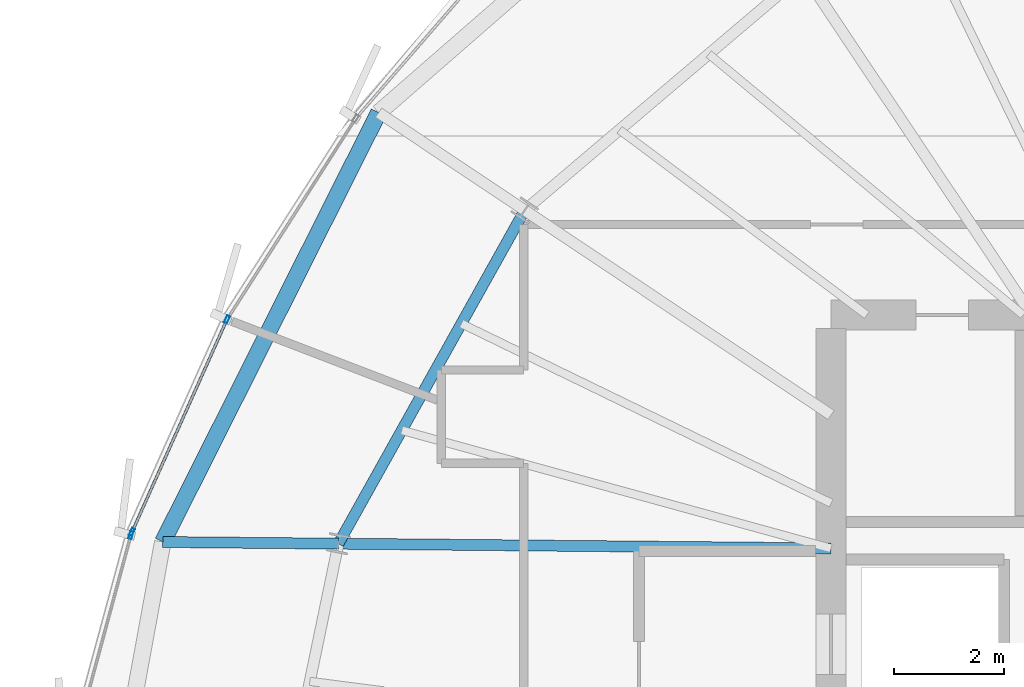
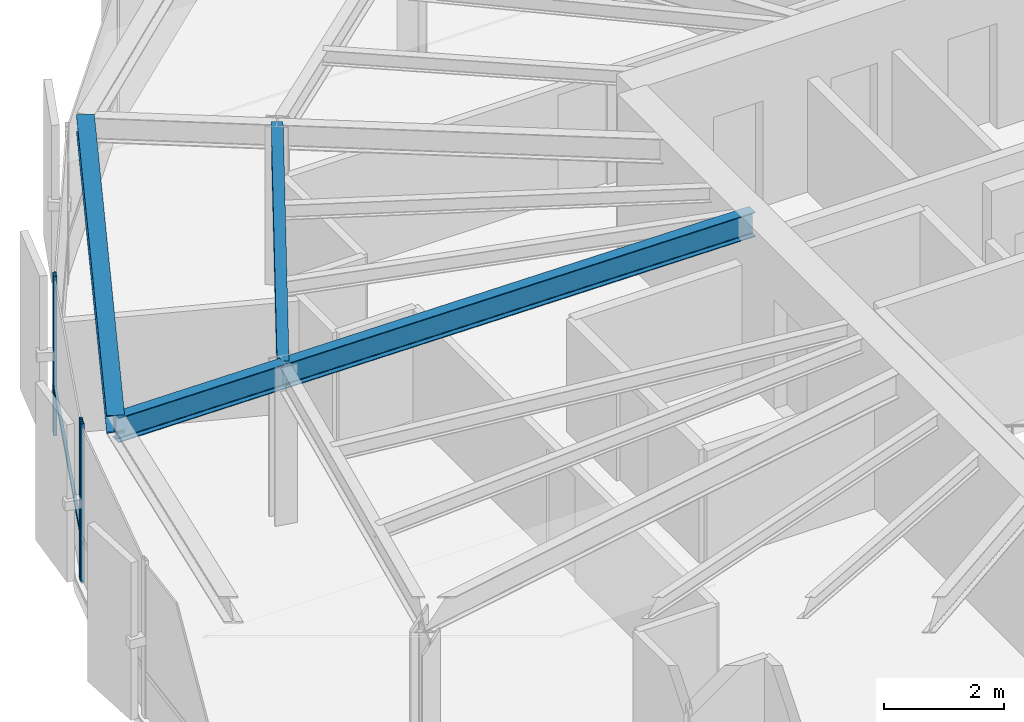
# One storey, part 10 of 34: 4 beams, 4 members, 2 elements without a shape of their own.
"""IFC4 building model written with IfcOpenShell, lengths in metres."""

from ifc_helpers import new_model, si_unit, direction, frame, origin, origin_2d, place, context, subcontext, project, spatial, hollow_rectangle, i_section, extrude, source, transform, mapped, material, layer, layer_set, material_profile, profile_set, type_object, element, aggregate, save


model = new_model("IFC4")

# Units and contexts
model_context = context("Model", 3, precision=1e-05, world=origin(), true_north=direction((0.0, 1.0)))
body_context = subcontext(model_context, "Body", "Model", "MODEL_VIEW")
ifc_project = project(units=[si_unit("LENGTHUNIT", "METRE"), si_unit("AREAUNIT", "SQUARE_METRE"), si_unit("VOLUMEUNIT", "CUBIC_METRE"), si_unit("PLANEANGLEUNIT", "RADIAN"), si_unit("MASSUNIT", "GRAM", prefix="KILO"), si_unit("THERMODYNAMICTEMPERATUREUNIT", "KELVIN")], contexts=[model_context])

# Site, building, storey
site_placement = place(None, origin())
site = spatial("IfcSite", under=ifc_project, at=site_placement, CompositionType="ELEMENT")
building_placement = place(site_placement, origin())
building = spatial("IfcBuilding", under=site, at=building_placement, Name="Kethvar Cultural Tower", CompositionType="ELEMENT")
storey_placement = place(building_placement, frame((0.0, 0.0, 214.89990234375)))
storey = spatial("IfcBuildingStorey", under=building, at=storey_placement, Name="L56", CompositionType="ELEMENT", Elevation=214.89990234375)

# Beams
ifc_material_1 = material(Name="Steel S355J2", Category="steel")
ifc_material_profile_1 = material_profile(ifc_material_1, i_section(OverallWidth=0.199951171875, OverallDepth=0.5, WebThickness=0.01025390625, FlangeThickness=0.01611328125, FilletRadius=0.02099609375, at=origin_2d()), Name="Steel S355J2 — IPE500")
ifc_profile_set_1 = profile_set([ifc_material_profile_1], Name="Steel S355J2 — IPE500")
beam_type_1 = type_object("IfcBeamType", Name="BM-IPE500", PredefinedType="BEAM", material=ifc_profile_set_1)
shared_shape_1 = source(origin(), body_context, "Body", "SweptSolid", [
    extrude(i_section(OverallWidth=0.199951171875, OverallDepth=0.5, WebThickness=0.01025390625, FlangeThickness=0.01611328125, FilletRadius=0.02099609375, at=origin_2d()), origin(), (0.0, 0.0, 1.0), 3.2001953125),
])
beam_1_placement = place(storey_placement, frame((29.02490234375, 31.335693359375, 2.988037109375), z_axis=(-0.999954526979, 0.009536455014, 0.0), x_axis=(-0.009536455014, -0.999954526979, 0.0)))
element("IfcBeam", 1, at=beam_1_placement, inside=storey, type_object=beam_type_1, Name="L56 Perimeter Cantilever Beam RC-08", PredefinedType="BEAM", context=body_context, shape_type="MappedRepresentation", body=[
    mapped(shared_shape_1, transform((0.0, 0.0, 0.0), scale=1.0)),
])
shared_shape_2 = source(origin(), body_context, "Body", "SweptSolid", [
    extrude(i_section(OverallWidth=0.199951171875, OverallDepth=0.5, WebThickness=0.01025390625, FlangeThickness=0.01611328125, FilletRadius=0.02099609375, at=origin_2d()), origin(), (0.0, 0.0, 1.0), 8.9755859375),
])
beam_2_placement = place(storey_placement, frame((38.0, 31.25, 2.988037109375), z_axis=(-0.999954421893, 0.00954746755, 0.0), x_axis=(-0.00954746755, -0.999954421893, 0.0)))
element("IfcBeam", 2, at=beam_2_placement, inside=storey, type_object=beam_type_1, Name="L56 Primary Radial Beam RB-08", PredefinedType="BEAM", context=body_context, shape_type="MappedRepresentation", body=[
    mapped(shared_shape_2, transform((0.0, 0.0, 0.0), scale=1.0)),
])
shared_shape_3 = source(origin(), body_context, "Body", "SweptSolid", [
    extrude(i_section(OverallWidth=0.199951171875, OverallDepth=0.5, WebThickness=0.01025390625, FlangeThickness=0.01611328125, FilletRadius=0.02099609375, at=origin_2d()), origin(), (0.0, 0.0, 1.0), 6.957275390625),
])
beam_3_placement = place(storey_placement, frame((32.418212890625, 37.409423828125, 2.988037109375), z_axis=(-0.487730122968, -0.872994459976, 0.0), x_axis=(0.872994459976, -0.487730122968, 0.0)))
element("IfcBeam", 3, at=beam_3_placement, inside=storey, type_object=beam_type_1, Name="L56 Column Ring Tie Beam CR-07", PredefinedType="BEAM", context=body_context, shape_type="MappedRepresentation", body=[
    mapped(shared_shape_3, transform((0.0, 0.0, 0.0), scale=1.0)),
])
ifc_material_profile_2 = material_profile(ifc_material_1, i_section(OverallWidth=0.300048828125, OverallDepth=0.360107421875, WebThickness=0.012451171875, FlangeThickness=0.0224609375, FilletRadius=0.027099609375, at=origin_2d()), Name="Steel S355J2 — HEB360")
ifc_profile_set_2 = profile_set([ifc_material_profile_2], Name="Steel S355J2 — HEB360")
beam_type_2 = type_object("IfcBeamType", Name="BM-SP360", PredefinedType="SPANDREL", material=ifc_profile_set_2)
shared_shape_4 = source(origin(), body_context, "Body", "SweptSolid", [
    extrude(i_section(OverallWidth=0.300048828125, OverallDepth=0.360107421875, WebThickness=0.012451171875, FlangeThickness=0.0224609375, FilletRadius=0.027099609375, at=origin_2d()), origin(), (0.0, 0.0, 1.0), 8.754150390625),
])
beam_4_placement = place(storey_placement, frame((29.757568359375, 39.187255859375, 3.05810546875), z_axis=(-0.449231599727, -0.893415340033, 0.0), x_axis=(0.893415340033, -0.449231599727, 0.0)))
element("IfcBeam", 4, at=beam_4_placement, inside=storey, type_object=beam_type_2, Name="L56 Perimeter Spandrel Beam SP-07", PredefinedType="SPANDREL", context=body_context, shape_type="MappedRepresentation", body=[
    mapped(shared_shape_4, transform((0.0, 0.0, 0.0), scale=1.0)),
])

# Curtain wall, members
ifc_material_2 = material(Name="Aluminium 6063-T6", Category="aluminium")
ifc_layer = layer(ifc_material_2, 0.179931640625, Name="Aluminium 6063-T6", Category="aluminium")
ifc_layer_set = layer_set([ifc_layer], Name="Aluminium 6063-T6 (180 mm)")
curtain_wall_type = type_object("IfcCurtainWallType", Name="CW-SYS-04-Z34", PredefinedType="NOTDEFINED", material=ifc_layer_set)
curtain_wall_1_placement = place(storey_placement, origin())
curtain_wall_1 = element("IfcCurtainWall", 5, at=curtain_wall_1_placement, inside=storey, type_object=curtain_wall_type, Name="L56 Curtain Wall Run 02", PredefinedType="NOTDEFINED")
ifc_material_profile_3 = material_profile(ifc_material_2, hollow_rectangle(XDim=0.06005859375, YDim=0.139892578125, WallThickness=0.0048828125, at=origin_2d()), Name="Aluminium 6063-T6 — RHS140x60x5")
ifc_profile_set_3 = profile_set([ifc_material_profile_3], Name="Aluminium 6063-T6 — RHS140x60x5")
member_type_1 = type_object("IfcMemberType", Name="CW-SYS-04-Z34-MUL", PredefinedType="MULLION", material=ifc_profile_set_3)
shared_shape_5 = source(origin(), body_context, "Body", "SweptSolid", [
    extrude(hollow_rectangle(XDim=0.06005859375, YDim=0.139892578125, WallThickness=0.0048828125, at=origin_2d()), origin(), (0.0, 0.0, 1.0), 3.239990234375),
])
member_1_placement = place(storey_placement, frame((26.994873046875, 35.419921875, 0.0), z_axis=(0.0, 0.0, 1.0), x_axis=(0.912983776847, -0.407995861762, 0.0)))
member_1 = element("IfcMember", 6, at=member_1_placement, type_object=member_type_1, Name="CW-L56-R02 Mullion 6", PredefinedType="MULLION", context=body_context, shape_type="MappedRepresentation", body=[
    mapped(shared_shape_5, transform((0.0, 0.0, 0.0), scale=1.0)),
])
member_2_placement = place(storey_placement, frame((25.264404296875, 31.547607421875, 0.0), z_axis=(0.0, 0.0, 1.0), x_axis=(0.912983776847, -0.407995861762, 0.0)))
member_2 = element("IfcMember", 7, at=member_2_placement, type_object=member_type_1, Name="CW-L56-R02 Mullion 7", PredefinedType="MULLION", context=body_context, shape_type="MappedRepresentation", body=[
    mapped(shared_shape_5, transform((0.0, 0.0, 0.0), scale=1.0)),
])

# Curtain wall, member
curtain_wall_2_placement = place(storey_placement, origin())
curtain_wall_2 = element("IfcCurtainWall", 8, at=curtain_wall_2_placement, inside=storey, type_object=curtain_wall_type, Name="L56 Curtain Wall Run 03", PredefinedType="NOTDEFINED")
member_3_placement = place(storey_placement, frame((25.244140625, 31.490478515625, 0.0), z_axis=(0.0, 0.0, 1.0), x_axis=(0.965272293109, -0.26124586151, 0.0)))
member_3 = element("IfcMember", 9, at=member_3_placement, type_object=member_type_1, Name="CW-L56-R03 Mullion 1", PredefinedType="MULLION", context=body_context, shape_type="MappedRepresentation", body=[
    mapped(shared_shape_5, transform((0.0, 0.0, 0.0), scale=1.0)),
])
aggregate(curtain_wall_2, [member_3])

# Member
ifc_material_profile_4 = material_profile(ifc_material_2, hollow_rectangle(XDim=0.050048828125, YDim=0.10009765625, WallThickness=0.00390625, at=origin_2d()), Name="Aluminium 6063-T6 — RHS100x50x4")
ifc_profile_set_4 = profile_set([ifc_material_profile_4], Name="Aluminium 6063-T6 — RHS100x50x4")
member_type_2 = type_object("IfcMemberType", Name="CW-SYS-04-Z34-TRN", PredefinedType="USERDEFINED", material=ifc_profile_set_4)
shared_shape_6 = source(origin(), body_context, "Body", "SweptSolid", [
    extrude(hollow_rectangle(XDim=0.050048828125, YDim=0.10009765625, WallThickness=0.00390625, at=origin_2d()), origin(), (0.0, 0.0, 1.0), 4.19384765625),
])
member_4_placement = place(storey_placement, frame((26.977294921875, 35.38037109375, 0.9501953125), z_axis=(-0.407974134442, -0.912993486081, 0.0), x_axis=(0.912993486081, -0.407974134442, 0.0)))
member_4 = element("IfcMember", 10, at=member_4_placement, type_object=member_type_2, Name="CW-L56-R02 Transom 6", ObjectType="TRANSOM", PredefinedType="USERDEFINED", context=body_context, shape_type="MappedRepresentation", body=[
    mapped(shared_shape_6, transform((0.0, 0.0, 0.0), scale=1.0)),
])

aggregate(curtain_wall_1, [member_1, member_2, member_4])

save(model, "model.ifc")
